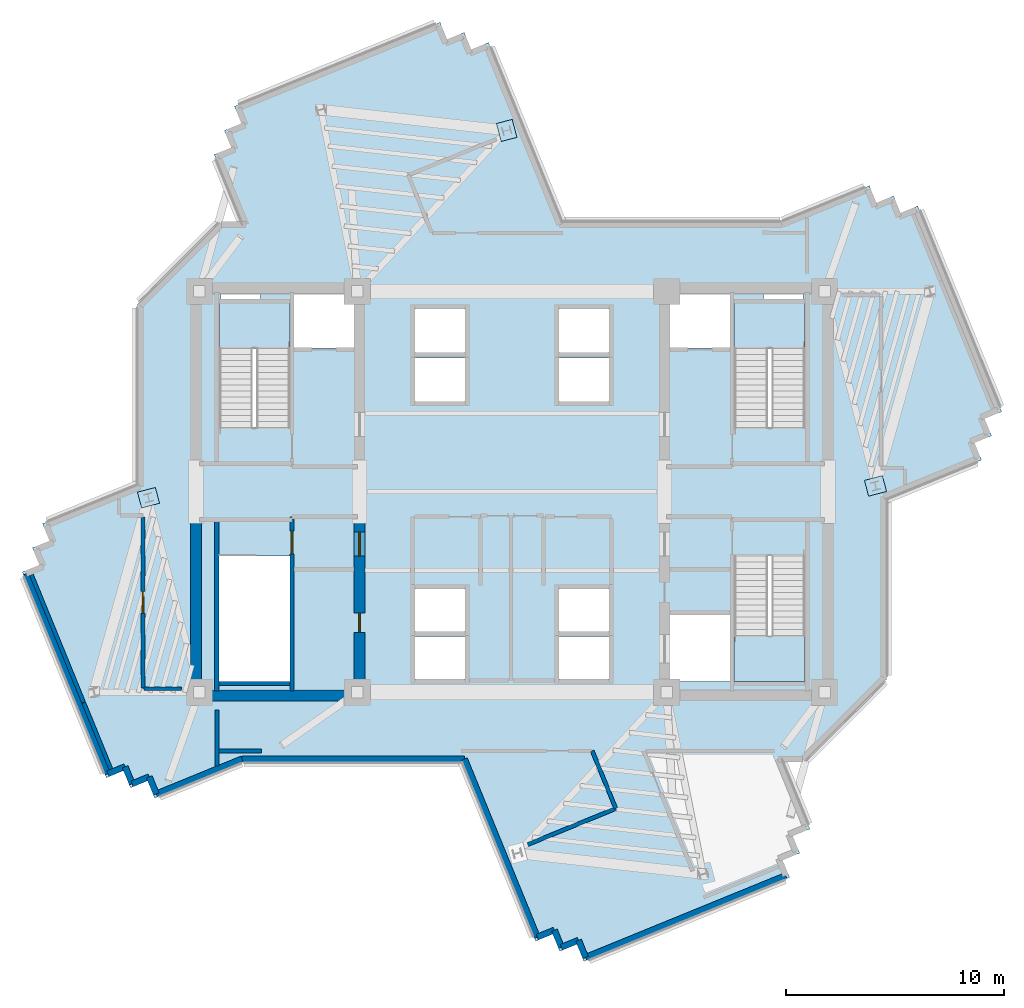
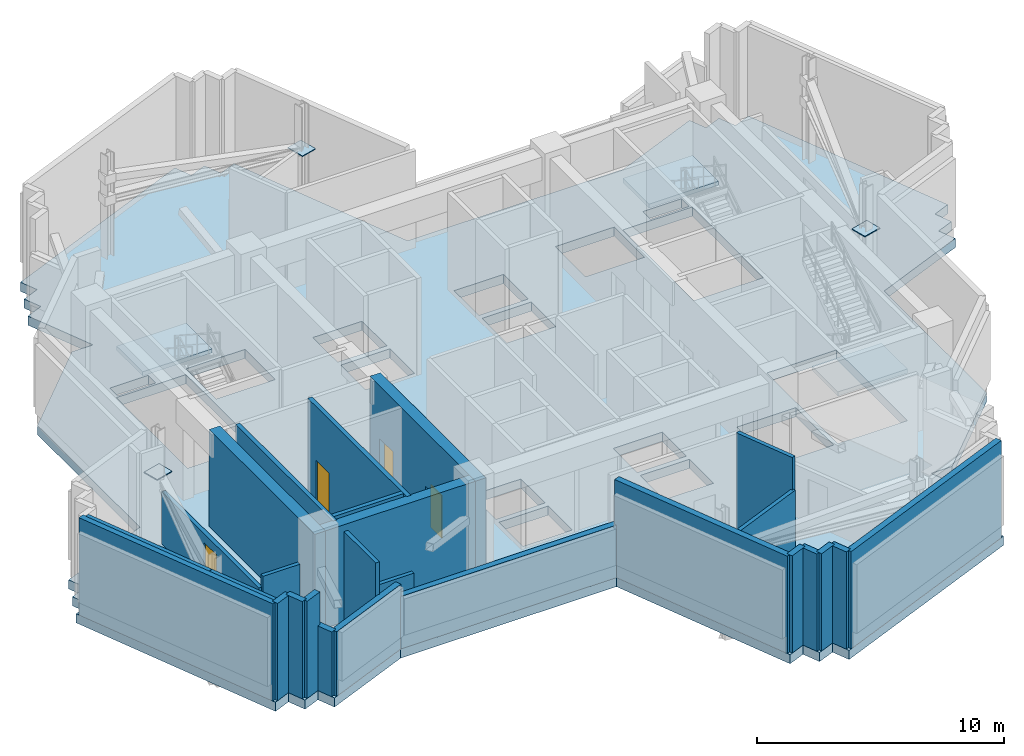
# One storey, part 3 of 11: 27 walls, 4 doors, 4 slabs, 3 plates, 4 openings, 3 elements without a shape of their own.
"""IFC4 building model written with IfcOpenShell, lengths in metres."""

from ifc_helpers import new_model, si_unit, direction, frame, frame_2d, origin, origin_2d, place, context, subcontext, project, spatial, polyline, rectangle, outline, extrude, source, transform, mapped, material, layer, layer_set, type_object, element, fill, aggregate, save


model = new_model("IFC4")

# Units and contexts
model_context = context("Model", 3, precision=1e-05, world=origin(), true_north=direction((0.0, 1.0)))
body_context = subcontext(model_context, "Body", "Model", "MODEL_VIEW")
ifc_project = project(units=[si_unit("LENGTHUNIT", "METRE"), si_unit("AREAUNIT", "SQUARE_METRE"), si_unit("VOLUMEUNIT", "CUBIC_METRE"), si_unit("PLANEANGLEUNIT", "RADIAN"), si_unit("MASSUNIT", "GRAM", prefix="KILO")], contexts=[model_context])

# Site, building, storey
site_placement = place(None, origin())
site = spatial("IfcSite", under=ifc_project, at=site_placement, CompositionType="ELEMENT")
building_placement = place(site_placement, origin())
building = spatial("IfcBuilding", under=site, at=building_placement, Name="Zahravan Cultural Tower", CompositionType="ELEMENT")
storey_placement = place(building_placement, frame((0.0, 0.0, 229.199951171875)))
storey = spatial("IfcBuildingStorey", under=building, at=storey_placement, Name="L54", CompositionType="ELEMENT", Elevation=229.199951171875)

# Stair, slab
ifc_material_1 = material(Name="Concrete C45/55", Category="concrete")
stair_type = type_object("IfcStairType", Name="STR-DL-1550-510", PredefinedType="HALF_TURN_STAIR", material=ifc_material_1)
stair_1_placement = place(storey_placement, origin())
stair_1 = element("IfcStair", 1, at=stair_1_placement, inside=storey, type_object=stair_type, Name="L54 West Core North Exit Stair ST-W1", PredefinedType="HALF_TURN_STAIR")
ifc_layer_1 = layer(ifc_material_1, 0.199951171875)
ifc_layer_set_1 = layer_set([ifc_layer_1], Name="Concrete C45/55")
slab_type_1 = type_object("IfcSlabType", Name="SL-STAIR-LND200", PredefinedType="LANDING", material=ifc_layer_set_1)
slab_1_placement = place(storey_placement, frame((0.0, 0.0, 2.35009765625)))
slab_1 = element("IfcSlab", 2, at=slab_1_placement, type_object=slab_type_1, Name="ST-W1 landing 1", PredefinedType="LANDING", context=body_context, shape_type="SweptSolid", body=[
    extrude(outline(polyline([(25.800048828125, 33.590087890625), (25.800048828125, 35.699951171875), (22.550048828125, 35.699951171875), (22.550048828125, 33.590087890625), (25.800048828125, 33.590087890625)])), origin(), (0.0, 0.0, 1.0), 0.199951171875),
])
aggregate(stair_1, [slab_1])

stair_2_placement = place(storey_placement, origin())
stair_2 = element("IfcStair", 3, at=stair_2_placement, inside=storey, type_object=stair_type, Name="L54 East Core North Exit Stair ST-E1", PredefinedType="HALF_TURN_STAIR")
slab_2_placement = place(storey_placement, frame((0.0, 0.0, 2.35009765625)))
slab_2 = element("IfcSlab", 4, at=slab_2_placement, type_object=slab_type_1, Name="ST-E1 landing 1", PredefinedType="LANDING", context=body_context, shape_type="SweptSolid", body=[
    extrude(outline(polyline([(49.449951171875, 33.590087890625), (49.449951171875, 35.699951171875), (46.199951171875, 35.699951171875), (46.199951171875, 33.590087890625), (49.449951171875, 33.590087890625)])), origin(), (0.0, 0.0, 1.0), 0.199951171875),
])
aggregate(stair_2, [slab_2])

stair_3_placement = place(storey_placement, origin())
stair_3 = element("IfcStair", 5, at=stair_3_placement, inside=storey, type_object=stair_type, Name="L54 East Core South Exit Stair ST-E2", PredefinedType="HALF_TURN_STAIR")
slab_3_placement = place(storey_placement, frame((0.0, 0.0, 2.35009765625)))
slab_3 = element("IfcSlab", 6, at=slab_3_placement, type_object=slab_type_1, Name="ST-E2 landing 1", PredefinedType="LANDING", context=body_context, shape_type="SweptSolid", body=[
    extrude(outline(polyline([(46.199951171875, 20.409912109375), (46.199951171875, 18.300048828125), (49.449951171875, 18.300048828125), (49.449951171875, 20.409912109375), (46.199951171875, 20.409912109375)])), origin(), (0.0, 0.0, 1.0), 0.199951171875),
])
aggregate(stair_3, [slab_3])

# Slab
ifc_material_2 = material(Name="Concrete C50/60", Category="concrete")
ifc_layer_2 = layer(ifc_material_2, 0.449951171875)
ifc_layer_set_2 = layer_set([ifc_layer_2], Name="Concrete C50/60")
slab_type_2 = type_object("IfcSlabType", Name="SL-TRANS-450", PredefinedType="FLOOR", material=ifc_layer_set_2)
slab_4_placement = place(storey_placement, frame((0.0, 0.0, -0.449951171875)))
element("IfcSlab", 7, at=slab_4_placement, inside=storey, type_object=slab_type_2, Name="L54 Structural Floor Slab", PredefinedType="FLOOR", context=body_context, shape_type="SweptSolid", body=[
    extrude(outline(polyline([(48.363525390625, 39.39990234375), (38.27734375, 39.39990234375), (34.916015625, 47.623291015625), (34.129150390625, 47.301513671875), (33.8076171875, 48.08837890625), (33.020751953125, 47.7666015625), (32.69921875, 48.553466796875), (23.257568359375, 44.694091796875), (23.5791015625, 43.9072265625), (22.79248046875, 43.585693359375), (23.114013671875, 42.798828125), (22.3271484375, 42.477294921875), (23.585205078125, 39.39990234375), (22.60009765625, 39.39990234375), (18.800048828125, 35.60009765625), (18.800048828125, 27.315185546875), (14.451171875, 25.53759765625), (14.772705078125, 24.7509765625), (13.986083984375, 24.42919921875), (14.3076171875, 23.642333984375), (13.520751953125, 23.32080078125), (17.38037109375, 13.879150390625), (18.1669921875, 14.20068359375), (18.48876953125, 13.4140625), (19.275390625, 13.735595703125), (19.59716796875, 12.94873046875), (23.636474609375, 14.60009765625), (33.72265625, 14.60009765625), (37.083984375, 6.376708984375), (37.870849609375, 6.698486328125), (38.1923828125, 5.91162109375), (38.979248046875, 6.2333984375), (39.30078125, 5.446533203125), (48.742431640625, 9.305908203125), (48.4208984375, 10.0927734375), (49.20751953125, 10.414306640625), (48.885986328125, 11.201171875), (49.6728515625, 11.522705078125), (48.414794921875, 14.60009765625), (49.39990234375, 14.60009765625), (53.199951171875, 18.39990234375), (53.199951171875, 26.684814453125), (57.548828125, 28.46240234375), (57.227294921875, 29.2490234375), (58.013916015625, 29.57080078125), (57.6923828125, 30.357666015625), (58.479248046875, 30.67919921875), (54.61962890625, 40.120849609375), (53.8330078125, 39.79931640625), (53.51123046875, 40.5859375), (52.724609375, 40.264404296875), (52.40283203125, 41.05126953125), (48.363525390625, 39.39990234375)]), holes=[polyline([(22.550048828125, 29.949951171875), (22.550048828125, 35.699951171875), (25.800048828125, 35.699951171875), (25.800048828125, 29.949951171875), (22.550048828125, 29.949951171875)]), polyline([(22.550048828125, 18.300048828125), (22.550048828125, 24.050048828125), (25.800048828125, 24.050048828125), (25.800048828125, 18.300048828125), (22.550048828125, 18.300048828125)]), polyline([(46.199951171875, 29.949951171875), (46.199951171875, 35.699951171875), (49.449951171875, 35.699951171875), (49.449951171875, 29.949951171875), (46.199951171875, 29.949951171875)]), polyline([(46.199951171875, 18.300048828125), (46.199951171875, 24.050048828125), (49.449951171875, 24.050048828125), (49.449951171875, 18.300048828125), (46.199951171875, 18.300048828125)]), polyline([(26.0, 33.60009765625), (26.0, 36.050048828125), (28.75, 36.050048828125), (28.75, 33.60009765625), (26.0, 33.60009765625)]), polyline([(43.25, 33.60009765625), (43.25, 36.050048828125), (46.0, 36.050048828125), (46.0, 33.60009765625), (43.25, 33.60009765625)]), polyline([(43.25, 18.300048828125), (43.25, 21.35009765625), (46.0, 21.35009765625), (46.0, 18.300048828125), (43.25, 18.300048828125)]), polyline([(31.550048828125, 33.39990234375), (31.550048828125, 35.39990234375), (33.85009765625, 35.39990234375), (33.85009765625, 33.39990234375), (31.550048828125, 33.39990234375)]), polyline([(31.550048828125, 31.14990234375), (31.550048828125, 33.14990234375), (33.85009765625, 33.14990234375), (33.85009765625, 31.14990234375), (31.550048828125, 31.14990234375)]), polyline([(38.14990234375, 33.39990234375), (38.14990234375, 35.39990234375), (40.449951171875, 35.39990234375), (40.449951171875, 33.39990234375), (38.14990234375, 33.39990234375)]), polyline([(38.14990234375, 31.14990234375), (38.14990234375, 33.14990234375), (40.449951171875, 33.14990234375), (40.449951171875, 31.14990234375), (38.14990234375, 31.14990234375)]), polyline([(31.550048828125, 20.60009765625), (31.550048828125, 22.550048828125), (33.85009765625, 22.550048828125), (33.85009765625, 20.60009765625), (31.550048828125, 20.60009765625)]), polyline([(31.550048828125, 18.39990234375), (31.550048828125, 20.35009765625), (33.85009765625, 20.35009765625), (33.85009765625, 18.39990234375), (31.550048828125, 18.39990234375)]), polyline([(38.14990234375, 20.60009765625), (38.14990234375, 22.550048828125), (40.449951171875, 22.550048828125), (40.449951171875, 20.60009765625), (38.14990234375, 20.60009765625)]), polyline([(38.14990234375, 18.39990234375), (38.14990234375, 20.35009765625), (40.449951171875, 20.35009765625), (40.449951171875, 18.39990234375), (38.14990234375, 18.39990234375)]), polyline([(22.64990234375, 35.800048828125), (22.64990234375, 36.419921875), (24.449951171875, 36.419921875), (24.449951171875, 35.800048828125), (22.64990234375, 35.800048828125)]), polyline([(47.550048828125, 35.800048828125), (47.550048828125, 36.419921875), (49.35009765625, 36.419921875), (49.35009765625, 35.800048828125), (47.550048828125, 35.800048828125)])]), origin(), (0.0, 0.0, 1.0), 0.449951171875),
])

# Plates
ifc_material_3 = material(Name="Steel ASTM A572 Grade 50", Category="steel")
ifc_layer_3 = layer(ifc_material_3, 0.044921875)
ifc_layer_set_3 = layer_set([ifc_layer_3], Name="Steel ASTM A572 Grade 50")
plate_type = type_object("IfcPlateType", Name="PL-NODE-45", PredefinedType="SHEET", material=ifc_layer_set_3)
shared_shape_1 = source(origin(), body_context, "Body", "SweptSolid", [
    extrude(rectangle(XDim=0.85009765625, YDim=0.75, at=origin_2d()), origin(), (0.0, 0.0, 1.0), 0.044921875),
])
for number, where, z_axis, x_axis, name in (
    (8, (19.315673828125, 26.72900390625, 2.877685546875), (0.0, 0.0, 1.0), (0.966823388604, 0.255445757936, 0.0), "L54 Belt Node Cap Plate BN2"),
    (9, (52.684326171875, 27.27099609375, 2.877685546875), (0.0, 0.0, 1.0), (0.966823388604, 0.255445757936, 0.0), "L54 Belt Node Cap Plate BN2"),
    (10, (35.754638671875, 43.587646484375, 2.877685546875), (0.0, 0.0, 1.0), (-0.255445757936, 0.966823388604, 0.0), "L54 Belt Node Cap Plate BN2"),
):
    element("IfcPlate", number, at=place(storey_placement, frame(where, z_axis=z_axis, x_axis=x_axis)), inside=storey, type_object=plate_type, Name=name, PredefinedType="SHEET", context=body_context, shape_type="MappedRepresentation", body=[
        mapped(shared_shape_1, transform((0.0, 0.0, 0.0), x_axis=(1.0, 0.0, 0.0), y_axis=(0.0, 1.0, 0.0), z_axis=(0.0, 0.0, 1.0), scale=1.0)),
    ])

# Wall, openings, doors
ifc_material_4 = material(Name="Concrete C60/75", Category="concrete")
ifc_layer_4 = layer(ifc_material_4, 0.5)
ifc_layer_set_4 = layer_set([ifc_layer_4], Name="Concrete C60/75")
wall_type_1 = type_object("IfcWallType", Name="CW-SHEAR-500-C60", PredefinedType="SHEAR", material=ifc_layer_set_4)
wall_1_placement = place(storey_placement, frame((29.0, 17.39990234375, 0.0), z_axis=(0.0, 0.0, 1.0), x_axis=(0.0, 1.0, 0.0)))
wall_1 = element("IfcWall", 11, at=wall_1_placement, inside=storey, type_object=wall_type_1, Name="L54 Core Shear Wall CW-W-ES-L54", PredefinedType="SHEAR", context=body_context, shape_type="SweptSolid", body=[
    extrude(rectangle(XDim=8.550048828125, YDim=0.5, at=frame_2d((4.27490234375, 0.0))), origin(), (0.0, 0.0, 1.0), 4.800048828125),
])
opening_1_placement = place(wall_1_placement, frame((6.64990234375, 0.0, 0.0)))
opening_1 = element("IfcOpeningElement", 12, at=opening_1_placement, cuts=wall_1, Name="Opening D-L54-07", PredefinedType="OPENING", context=body_context, shape_type="SweptSolid", body=[
    extrude(rectangle(XDim=1.10009765625, YDim=2.199951171875, at=frame_2d((0.550048828125, 1.10009765625))), frame((0.0, 0.260009765625, 0.0), z_axis=(0.0, -1.0, 0.0), x_axis=(1.0, 0.0, 0.0)), (0.0, 0.0, 1.0), 0.52001953125),
])
opening_2_placement = place(wall_1_placement, frame((3.14990234375, 0.0, 0.0)))
opening_2 = element("IfcOpeningElement", 13, at=opening_2_placement, cuts=wall_1, Name="Opening D-L54-09", PredefinedType="OPENING", context=body_context, shape_type="SweptSolid", body=[
    extrude(rectangle(XDim=0.8798828125, YDim=2.10009765625, at=frame_2d((0.43994140625, 1.050048828125))), frame((0.0, 0.260009765625, 0.0), z_axis=(0.0, -1.0, 0.0), x_axis=(1.0, 0.0, 0.0)), (0.0, 0.0, 1.0), 0.52001953125),
])
door_type_1 = type_object("IfcDoorType", Name="DR-LOBBY-1100", OperationType="NOTDEFINED", PredefinedType="DOOR", material=ifc_material_3)
shared_shape_2 = source(origin(), body_context, "Body", "SweptSolid", [
    extrude(rectangle(XDim=1.10009765625, YDim=2.199951171875, at=frame_2d((0.550048828125, 1.10009765625))), frame((0.0, 0.02490234375, 0.0), z_axis=(0.0, -1.0, 0.0), x_axis=(1.0, 0.0, 0.0)), (0.0, 0.0, 1.0), 0.050048828125),
])
door_1_placement = place(opening_1_placement, origin())
door_1 = element("IfcDoor", 14, at=door_1_placement, inside=storey, type_object=door_type_1, Name="L54 Door D-L54-07", OperationType="SINGLE_SWING_RIGHT", OverallHeight=2.199951171875, OverallWidth=1.10009765625, PredefinedType="DOOR", context=body_context, shape_type="MappedRepresentation", body=[
    mapped(shared_shape_2, transform((0.0, 0.0, 0.0), x_axis=(1.0, 0.0, 0.0), y_axis=(0.0, 1.0, 0.0), z_axis=(0.0, 0.0, 1.0), scale=1.0)),
])
fill(opening_1, door_1)
door_type_2 = type_object("IfcDoorType", Name="DR-SVC-880", OperationType="NOTDEFINED", PredefinedType="DOOR", material=ifc_material_3)
shared_shape_3 = source(origin(), body_context, "Body", "SweptSolid", [
    extrude(rectangle(XDim=0.8798828125, YDim=2.10009765625, at=frame_2d((0.43994140625, 1.050048828125))), frame((0.0, 0.02490234375, 0.0), z_axis=(0.0, -1.0, 0.0), x_axis=(1.0, 0.0, 0.0)), (0.0, 0.0, 1.0), 0.050048828125),
])
door_2_placement = place(opening_2_placement, origin())
door_2 = element("IfcDoor", 15, at=door_2_placement, inside=storey, type_object=door_type_2, Name="L54 Door D-L54-09", OperationType="SINGLE_SWING_RIGHT", OverallHeight=2.10009765625, OverallWidth=0.8798828125, PredefinedType="DOOR", context=body_context, shape_type="MappedRepresentation", body=[
    mapped(shared_shape_3, transform((0.0, 0.0, 0.0), x_axis=(1.0, 0.0, 0.0), y_axis=(0.0, 1.0, 0.0), z_axis=(0.0, 0.0, 1.0), scale=1.0)),
])
fill(opening_2, door_2)

# Wall, opening, door
ifc_material_5 = material(Name="Gypsum plasterboard partition")
ifc_layer_5 = layer(ifc_material_5, 0.179931640625)
ifc_layer_set_5 = layer_set([ifc_layer_5], Name="Gypsum plasterboard partition")
wall_type_2 = type_object("IfcWallType", Name="W-COMP-180", PredefinedType="PARTITIONING", material=ifc_layer_set_5)
wall_2_placement = place(storey_placement, frame((19.06005859375, 25.85009765625, 0.0), z_axis=(0.0, 0.0, 1.0), x_axis=(0.000248516658, -0.99999996912, 0.0)))
wall_2 = element("IfcWall", 16, at=wall_2_placement, inside=storey, type_object=wall_type_2, Name="L54 Interior Wall 088", PredefinedType="PARTITIONING", context=body_context, shape_type="SweptSolid", body=[
    extrude(rectangle(XDim=7.859130859375, YDim=0.179931640625, at=frame_2d((3.9296875, 0.0))), origin(), (0.0, 0.0, 1.0), 2.592041015625),
])
opening_3_placement = place(wall_2_placement, frame((3.4296875, 0.0, 0.0)))
opening_3 = element("IfcOpeningElement", 17, at=opening_3_placement, cuts=wall_2, Name="Opening D-L54-15", PredefinedType="OPENING", context=body_context, shape_type="SweptSolid", body=[
    extrude(rectangle(XDim=1.0, YDim=2.14990234375, at=frame_2d((0.5, 1.074951171875))), frame((0.0, 0.099853515625, 0.0), z_axis=(0.0, -1.0, 0.0), x_axis=(1.0, 0.0, 0.0)), (0.0, 0.0, 1.0), 0.199951171875),
])
door_type_3 = type_object("IfcDoorType", Name="DR-COMP-1000", OperationType="NOTDEFINED", PredefinedType="DOOR", material=ifc_material_3)
shared_shape_4 = source(origin(), body_context, "Body", "SweptSolid", [
    extrude(rectangle(XDim=1.0, YDim=2.14990234375, at=frame_2d((0.5, 1.074951171875))), frame((0.0, 0.02490234375, 0.0), z_axis=(0.0, -1.0, 0.0), x_axis=(1.0, 0.0, 0.0)), (0.0, 0.0, 1.0), 0.050048828125),
])
door_3_placement = place(opening_3_placement, origin())
door_3 = element("IfcDoor", 18, at=door_3_placement, inside=storey, type_object=door_type_3, Name="L54 Door D-L54-15", OperationType="SINGLE_SWING_RIGHT", OverallHeight=2.14990234375, OverallWidth=1.0, PredefinedType="DOOR", context=body_context, shape_type="MappedRepresentation", body=[
    mapped(shared_shape_4, transform((0.0, 0.0, 0.0), x_axis=(1.0, 0.0, 0.0), y_axis=(0.0, 1.0, 0.0), z_axis=(0.0, 0.0, 1.0), scale=1.0)),
])
fill(opening_3, door_3)

ifc_layer_6 = layer(ifc_material_1, 0.199951171875)
ifc_layer_set_6 = layer_set([ifc_layer_6], Name="Concrete C45/55")
wall_type_3 = type_object("IfcWallType", Name="W-SHAFT-200", PredefinedType="SOLIDWALL", material=ifc_layer_set_6)
wall_3_placement = place(storey_placement, frame((25.89990234375, 17.85009765625, 0.0), z_axis=(0.0, 0.0, 1.0), x_axis=(0.0, 1.0, 0.0)))
wall_3 = element("IfcWall", 19, at=wall_3_placement, inside=storey, type_object=wall_type_3, Name="L54 Interior Wall 005", PredefinedType="SOLIDWALL", context=body_context, shape_type="SweptSolid", body=[
    extrude(rectangle(XDim=8.0, YDim=0.199951171875, at=frame_2d((4.0, 0.0))), origin(), (0.0, 0.0, 1.0), 4.800048828125),
])
opening_4_placement = place(wall_3_placement, frame((6.300048828125, 0.0, 0.0)))
opening_4 = element("IfcOpeningElement", 20, at=opening_4_placement, cuts=wall_3, Name="Opening D-L54-04", PredefinedType="OPENING", context=body_context, shape_type="SweptSolid", body=[
    extrude(rectangle(XDim=1.050048828125, YDim=2.14990234375, at=frame_2d((0.52490234375, 1.074951171875))), frame((0.0, 0.10986328125, 0.0), z_axis=(0.0, -1.0, 0.0), x_axis=(1.0, 0.0, 0.0)), (0.0, 0.0, 1.0), 0.219970703125),
])
door_type_4 = type_object("IfcDoorType", Name="DR-STAIR-1050", OperationType="NOTDEFINED", PredefinedType="DOOR", material=ifc_material_3)
shared_shape_5 = source(origin(), body_context, "Body", "SweptSolid", [
    extrude(rectangle(XDim=1.050048828125, YDim=2.14990234375, at=frame_2d((0.52490234375, 1.074951171875))), frame((0.0, 0.02490234375, 0.0), z_axis=(0.0, -1.0, 0.0), x_axis=(1.0, 0.0, 0.0)), (0.0, 0.0, 1.0), 0.050048828125),
])
door_4_placement = place(opening_4_placement, origin())
door_4 = element("IfcDoor", 21, at=door_4_placement, inside=storey, type_object=door_type_4, Name="L54 Door D-L54-04", OperationType="SINGLE_SWING_LEFT", OverallHeight=2.14990234375, OverallWidth=1.050048828125, PredefinedType="DOOR", context=body_context, shape_type="MappedRepresentation", body=[
    mapped(shared_shape_5, transform((0.0, 0.0, 0.0), x_axis=(1.0, 0.0, 0.0), y_axis=(0.0, 1.0, 0.0), z_axis=(0.0, 0.0, 1.0), scale=1.0)),
])
fill(opening_4, door_4)

# Walls
shared_shape_6 = source(origin(), body_context, "Body", "SweptSolid", [
    extrude(rectangle(XDim=8.550048828125, YDim=0.5, at=frame_2d((4.27490234375, 0.0))), origin(), (0.0, 0.0, 1.0), 4.800048828125),
])
wall_4_placement = place(storey_placement, frame((21.5, 17.39990234375, 0.0), z_axis=(0.0, 0.0, 1.0), x_axis=(0.0, 1.0, 0.0)))
element("IfcWall", 22, at=wall_4_placement, inside=storey, type_object=wall_type_1, Name="L54 Core Shear Wall CW-W-WS-L54", PredefinedType="SHEAR", context=body_context, shape_type="MappedRepresentation", body=[
    mapped(shared_shape_6, transform((0.0, 0.0, 0.0), x_axis=(1.0, 0.0, 0.0), y_axis=(0.0, 1.0, 0.0), z_axis=(0.0, 0.0, 1.0), scale=1.0)),
])
shared_shape_7 = source(origin(), body_context, "Body", "SweptSolid", [
    extrude(rectangle(XDim=7.0, YDim=0.5, at=frame_2d((3.5, 0.0))), origin(), (0.0, 0.0, 1.0), 4.800048828125),
])
wall_5_placement = place(storey_placement, frame((21.75, 17.64990234375, 0.0), z_axis=(0.0, 0.0, 1.0), x_axis=(1.0, 0.0, 0.0)))
element("IfcWall", 23, at=wall_5_placement, inside=storey, type_object=wall_type_1, Name="L54 Core Shear Wall CW-W-S-L54", PredefinedType="SHEAR", context=body_context, shape_type="MappedRepresentation", body=[
    mapped(shared_shape_7, transform((0.0, 0.0, 0.0), x_axis=(1.0, 0.0, 0.0), y_axis=(0.0, 1.0, 0.0), z_axis=(0.0, 0.0, 1.0), scale=1.0)),
])
ifc_material_6 = material(Name="Precast concrete C40/50", Category="concrete")
ifc_layer_7 = layer(ifc_material_6, 0.280029296875)
ifc_layer_set_7 = layer_set([ifc_layer_7], Name="Precast concrete C40/50")
wall_type_4 = type_object("IfcWallType", Name="EW-TC-280", PredefinedType="SOLIDWALL", material=ifc_layer_set_7)
shared_shape_8 = source(origin(), body_context, "Body", "SweptSolid", [
    extrude(rectangle(XDim=4.25146484375, YDim=0.280029296875, at=frame_2d((2.125732421875, 0.0))), origin(), (0.0, 0.0, 1.0), 3.192138671875),
])
wall_6_placement = place(storey_placement, frame((23.60888671875, 14.739990234375, 0.0), z_axis=(0.0, 0.0, 1.0), x_axis=(-0.925650288582, -0.378380157049, 0.0)))
element("IfcWall", 24, at=wall_6_placement, inside=storey, type_object=wall_type_4, Name="L54 Exterior Masonry Frame Wall 27", PredefinedType="SOLIDWALL", context=body_context, shape_type="MappedRepresentation", body=[
    mapped(shared_shape_8, transform((0.0, 0.0, 0.0), x_axis=(1.0, 0.0, 0.0), y_axis=(0.0, 1.0, 0.0), z_axis=(0.0, 0.0, 1.0), scale=1.0)),
])
shared_shape_9 = source(origin(), body_context, "Body", "SweptSolid", [
    extrude(rectangle(XDim=0.85009765625, YDim=0.280029296875, at=frame_2d((0.425048828125, 0.0))), origin(), (0.0, 0.0, 1.0), 3.192138671875),
])
wall_7_placement = place(storey_placement, frame((19.673583984375, 13.13134765625, 0.0), z_axis=(0.0, 0.0, 1.0), x_axis=(-0.378263755491, 0.925697861768, 0.0)))
element("IfcWall", 25, at=wall_7_placement, inside=storey, type_object=wall_type_4, Name="L54 Exterior Masonry Frame Wall 28", PredefinedType="SOLIDWALL", context=body_context, shape_type="MappedRepresentation", body=[
    mapped(shared_shape_9, transform((0.0, 0.0, 0.0), x_axis=(1.0, 0.0, 0.0), y_axis=(0.0, 1.0, 0.0), z_axis=(0.0, 0.0, 1.0), scale=1.0)),
])
shared_shape_10 = source(origin(), body_context, "Body", "SweptSolid", [
    extrude(rectangle(XDim=0.85009765625, YDim=0.280029296875, at=frame_2d((0.425048828125, 0.0))), origin(), (0.0, 0.0, 1.0), 4.800048828125),
])
for number, where, z_axis, x_axis, name in (
    (26, (39.37744140625, 5.629150390625, 0.0), (0.0, 0.0, 1.0), (-0.378263755491, 0.925697861768, 0.0), "L54 Exterior Masonry Frame Wall 21"),
    (27, (39.055908203125, 6.416015625, 0.0), (0.0, 0.0, 1.0), (-0.925597268944, -0.378509835702, 0.0), "L54 Exterior Masonry Frame Wall 22"),
    (28, (38.26904296875, 6.09423828125, 0.0), (0.0, 0.0, 1.0), (-0.378263755491, 0.925697861768, 0.0), "L54 Exterior Masonry Frame Wall 23"),
    (29, (37.947509765625, 6.881103515625, 0.0), (0.0, 0.0, 1.0), (-0.925597268944, -0.378509835702, 0.0), "L54 Exterior Masonry Frame Wall 24"),
    (30, (19.35205078125, 13.918212890625, 0.0), (0.0, 0.0, 1.0), (-0.925697861768, -0.378263755491, 0.0), "L54 Exterior Masonry Frame Wall 29"),
    (31, (18.24365234375, 14.38330078125, 0.0), (0.0, 0.0, 1.0), (-0.925697861768, -0.378263755491, 0.0), "L54 Exterior Masonry Frame Wall 31"),
):
    element("IfcWall", number, at=place(storey_placement, frame(where, z_axis=z_axis, x_axis=x_axis)), inside=storey, type_object=wall_type_4, Name=name, PredefinedType="SOLIDWALL", context=body_context, shape_type="MappedRepresentation", body=[
        mapped(shared_shape_10, transform((0.0, 0.0, 0.0), x_axis=(1.0, 0.0, 0.0), y_axis=(0.0, 1.0, 0.0), z_axis=(0.0, 0.0, 1.0), scale=1.0)),
    ])
shared_shape_11 = source(origin(), body_context, "Body", "SweptSolid", [
    extrude(rectangle(XDim=0.849853515625, YDim=0.280029296875, at=frame_2d((0.4248046875, 0.0))), origin(), (0.0, 0.0, 1.0), 4.800048828125),
])
wall_8_placement = place(storey_placement, frame((18.565185546875, 13.5966796875, 0.0), z_axis=(0.0, 0.0, 1.0), x_axis=(-0.378364351045, 0.92565674948, 0.0)))
element("IfcWall", 32, at=wall_8_placement, inside=storey, type_object=wall_type_4, Name="L54 Exterior Masonry Frame Wall 30", PredefinedType="SOLIDWALL", context=body_context, shape_type="MappedRepresentation", body=[
    mapped(shared_shape_11, transform((0.0, 0.0, 0.0), x_axis=(1.0, 0.0, 0.0), y_axis=(0.0, 1.0, 0.0), z_axis=(0.0, 0.0, 1.0), scale=1.0)),
])
shared_shape_12 = source(origin(), body_context, "Body", "SweptSolid", [
    extrude(rectangle(XDim=9.919921875, YDim=0.280029296875, at=frame_2d((4.9599609375, 0.0))), origin(), (0.0, 0.0, 1.0), 4.800048828125),
])
for number, where, z_axis, x_axis, name in (
    (33, (48.559814453125, 9.382568359375, 0.0), (0.0, 0.0, 1.0), (-0.925653161898, -0.378373127836, 0.0), "L54 Exterior Masonry Frame Wall 20"),
    (34, (17.456787109375, 14.061767578125, 0.0), (0.0, 0.0, 1.0), (-0.378373127836, 0.925653161898, 0.0), "L54 Exterior Masonry Frame Wall 32"),
):
    element("IfcWall", number, at=place(storey_placement, frame(where, z_axis=z_axis, x_axis=x_axis)), inside=storey, type_object=wall_type_4, Name=name, PredefinedType="SOLIDWALL", context=body_context, shape_type="MappedRepresentation", body=[
        mapped(shared_shape_12, transform((0.0, 0.0, 0.0), x_axis=(1.0, 0.0, 0.0), y_axis=(0.0, 1.0, 0.0), z_axis=(0.0, 0.0, 1.0), scale=1.0)),
    ])
shared_shape_13 = source(origin(), body_context, "Body", "SweptSolid", [
    extrude(rectangle(XDim=8.837646484375, YDim=0.280029296875, at=frame_2d((4.4189453125, 0.0))), origin(), (0.0, 0.0, 1.0), 4.800048828125),
])
wall_9_placement = place(storey_placement, frame((37.16064453125, 6.559326171875, 0.0), z_axis=(0.0, 0.0, 1.0), x_axis=(-0.378376825166, 0.925651650556, 0.0)))
element("IfcWall", 35, at=wall_9_placement, inside=storey, type_object=wall_type_4, Name="L54 Exterior Masonry Frame Wall 25", PredefinedType="SOLIDWALL", context=body_context, shape_type="MappedRepresentation", body=[
    mapped(shared_shape_13, transform((0.0, 0.0, 0.0), x_axis=(1.0, 0.0, 0.0), y_axis=(0.0, 1.0, 0.0), z_axis=(0.0, 0.0, 1.0), scale=1.0)),
])
shared_shape_14 = source(origin(), body_context, "Body", "SweptSolid", [
    extrude(rectangle(XDim=10.207763671875, YDim=0.280029296875, at=frame_2d((5.10400390625, 0.0))), origin(), (0.0, 0.0, 1.0), 2.592041015625),
])
wall_10_placement = place(storey_placement, frame((33.816650390625, 14.739990234375, 0.0), z_axis=(0.0, 0.0, 1.0), x_axis=(-1.0, 0.0, 0.0)))
element("IfcWall", 36, at=wall_10_placement, inside=storey, type_object=wall_type_4, Name="L54 Exterior Masonry Frame Wall 26", PredefinedType="SOLIDWALL", context=body_context, shape_type="MappedRepresentation", body=[
    mapped(shared_shape_14, transform((0.0, 0.0, 0.0), x_axis=(1.0, 0.0, 0.0), y_axis=(0.0, 1.0, 0.0), z_axis=(0.0, 0.0, 1.0), scale=1.0)),
])
shared_shape_15 = source(origin(), body_context, "Body", "SweptSolid", [
    extrude(rectangle(XDim=7.869873046875, YDim=0.199951171875, at=frame_2d((3.93505859375, 0.0))), origin(), (0.0, 0.0, 1.0), 4.800048828125),
])
wall_11_placement = place(storey_placement, frame((22.449951171875, 17.85009765625, 0.0), z_axis=(0.0, 0.0, 1.0), x_axis=(0.0, 1.0, 0.0)))
element("IfcWall", 37, at=wall_11_placement, inside=storey, type_object=wall_type_3, Name="L54 Interior Wall 001", PredefinedType="SOLIDWALL", context=body_context, shape_type="MappedRepresentation", body=[
    mapped(shared_shape_15, transform((0.0, 0.0, 0.0), x_axis=(1.0, 0.0, 0.0), y_axis=(0.0, 1.0, 0.0), z_axis=(0.0, 0.0, 1.0), scale=1.0)),
])
shared_shape_16 = source(origin(), body_context, "Body", "SweptSolid", [
    extrude(rectangle(XDim=3.25, YDim=0.199951171875, at=frame_2d((1.625, 0.0))), origin(), (0.0, 0.0, 1.0), 4.800048828125),
])
wall_12_placement = place(storey_placement, frame((22.550048828125, 18.199951171875, 0.0), z_axis=(0.0, 0.0, 1.0), x_axis=(1.0, 0.0, 0.0)))
element("IfcWall", 38, at=wall_12_placement, inside=storey, type_object=wall_type_3, Name="L54 Interior Wall 019", PredefinedType="SOLIDWALL", context=body_context, shape_type="MappedRepresentation", body=[
    mapped(shared_shape_16, transform((0.0, 0.0, 0.0), x_axis=(1.0, 0.0, 0.0), y_axis=(0.0, 1.0, 0.0), z_axis=(0.0, 0.0, 1.0), scale=1.0)),
])
shared_shape_17 = source(origin(), body_context, "Body", "SweptSolid", [
    extrude(rectangle(XDim=2.860595703125, YDim=0.179931640625, at=frame_2d((1.43017578125, 0.0))), origin(), (0.0, 0.0, 1.0), 4.800048828125),
])
wall_13_placement = place(storey_placement, frame((39.6826171875, 15.110107421875, 0.0), z_axis=(0.0, 0.0, 1.0), x_axis=(0.378413509598, -0.925636654284, 0.0)))
element("IfcWall", 39, at=wall_13_placement, inside=storey, type_object=wall_type_2, Name="L54 Interior Wall 070", PredefinedType="PARTITIONING", context=body_context, shape_type="MappedRepresentation", body=[
    mapped(shared_shape_17, transform((0.0, 0.0, 0.0), x_axis=(1.0, 0.0, 0.0), y_axis=(0.0, 1.0, 0.0), z_axis=(0.0, 0.0, 1.0), scale=1.0)),
])
shared_shape_18 = source(origin(), body_context, "Body", "SweptSolid", [
    extrude(rectangle(XDim=4.3642578125, YDim=0.179931640625, at=frame_2d((2.18212890625, 0.0))), origin(), (0.0, 0.0, 1.0), 3.192138671875),
])
wall_14_placement = place(storey_placement, frame((40.76513671875, 12.462158203125, 0.0), z_axis=(0.0, 0.0, 1.0), x_axis=(-0.925649397598, -0.378382336699, 0.0)))
element("IfcWall", 40, at=wall_14_placement, inside=storey, type_object=wall_type_2, Name="L54 Interior Wall 068", PredefinedType="PARTITIONING", context=body_context, shape_type="MappedRepresentation", body=[
    mapped(shared_shape_18, transform((0.0, 0.0, 0.0), x_axis=(1.0, 0.0, 0.0), y_axis=(0.0, 1.0, 0.0), z_axis=(0.0, 0.0, 1.0), scale=1.0)),
])
shared_shape_19 = source(origin(), body_context, "Body", "SweptSolid", [
    extrude(rectangle(XDim=3.28662109375, YDim=0.179931640625, at=frame_2d((1.643310546875, 0.0))), origin(), (0.0, 0.0, 1.0), 4.800048828125),
])
wall_15_placement = place(storey_placement, frame((17.587158203125, 14.271728515625, 0.0), z_axis=(0.0, 0.0, 1.0), x_axis=(-0.378398545738, 0.925642771583, 0.0)))
element("IfcWall", 41, at=wall_15_placement, inside=storey, type_object=wall_type_2, Name="L54 Interior Wall 084", PredefinedType="PARTITIONING", context=body_context, shape_type="MappedRepresentation", body=[
    mapped(shared_shape_19, transform((0.0, 0.0, 0.0), x_axis=(1.0, 0.0, 0.0), y_axis=(0.0, 1.0, 0.0), z_axis=(0.0, 0.0, 1.0), scale=1.0)),
])
shared_shape_20 = source(origin(), body_context, "Body", "SweptSolid", [
    extrude(rectangle(XDim=6.3212890625, YDim=0.179931640625, at=frame_2d((3.16064453125, 0.0))), origin(), (0.0, 0.0, 1.0), 4.800048828125),
])
wall_16_placement = place(storey_placement, frame((16.335205078125, 17.33447265625, 0.0), z_axis=(0.0, 0.0, 1.0), x_axis=(-0.378378678887, 0.925650892812, 0.0)))
element("IfcWall", 42, at=wall_16_placement, inside=storey, type_object=wall_type_2, Name="L54 Interior Wall 085", PredefinedType="PARTITIONING", context=body_context, shape_type="MappedRepresentation", body=[
    mapped(shared_shape_20, transform((0.0, 0.0, 0.0), x_axis=(1.0, 0.0, 0.0), y_axis=(0.0, 1.0, 0.0), z_axis=(0.0, 0.0, 1.0), scale=1.0)),
])
shared_shape_21 = source(origin(), body_context, "Body", "SweptSolid", [
    extrude(rectangle(XDim=2.557861328125, YDim=0.179931640625, at=frame_2d((1.27880859375, 0.0))), origin(), (0.0, 0.0, 1.0), 4.800048828125),
])
wall_17_placement = place(storey_placement, frame((22.4599609375, 16.97998046875, 0.0), z_axis=(0.0, 0.0, 1.0), x_axis=(0.0, -1.0, 0.0)))
element("IfcWall", 43, at=wall_17_placement, inside=storey, type_object=wall_type_2, Name="L54 Interior Wall 082", PredefinedType="PARTITIONING", context=body_context, shape_type="MappedRepresentation", body=[
    mapped(shared_shape_21, transform((0.0, 0.0, 0.0), x_axis=(1.0, 0.0, 0.0), y_axis=(0.0, 1.0, 0.0), z_axis=(0.0, 0.0, 1.0), scale=1.0)),
])
shared_shape_22 = source(origin(), body_context, "Body", "SweptSolid", [
    extrude(rectangle(XDim=1.94873046875, YDim=0.179931640625, at=frame_2d((0.974365234375, 0.0))), origin(), (0.0, 0.0, 1.0), 3.192138671875),
])
wall_18_placement = place(storey_placement, frame((22.554931640625, 15.10986328125, 0.0), z_axis=(0.0, 0.0, 1.0), x_axis=(0.999997732001, -0.002129787202, 0.0)))
element("IfcWall", 44, at=wall_18_placement, inside=storey, type_object=wall_type_2, Name="L54 Interior Wall 083", PredefinedType="PARTITIONING", context=body_context, shape_type="MappedRepresentation", body=[
    mapped(shared_shape_22, transform((0.0, 0.0, 0.0), x_axis=(1.0, 0.0, 0.0), y_axis=(0.0, 1.0, 0.0), z_axis=(0.0, 0.0, 1.0), scale=1.0)),
])
shared_shape_23 = source(origin(), body_context, "Body", "SweptSolid", [
    extrude(rectangle(XDim=1.72412109375, YDim=0.179931640625, at=frame_2d((0.862060546875, 0.0))), origin(), (0.0, 0.0, 1.0), 3.192138671875),
])
wall_19_placement = place(storey_placement, frame((19.10595703125, 17.9599609375, 0.0), z_axis=(0.0, 0.0, 1.0), x_axis=(1.0, 0.0, 0.0)))
element("IfcWall", 45, at=wall_19_placement, inside=storey, type_object=wall_type_2, Name="L54 Interior Wall 089", PredefinedType="PARTITIONING", context=body_context, shape_type="MappedRepresentation", body=[
    mapped(shared_shape_23, transform((0.0, 0.0, 0.0), x_axis=(1.0, 0.0, 0.0), y_axis=(0.0, 1.0, 0.0), z_axis=(0.0, 0.0, 1.0), scale=1.0)),
])

save(model, "model.ifc")
